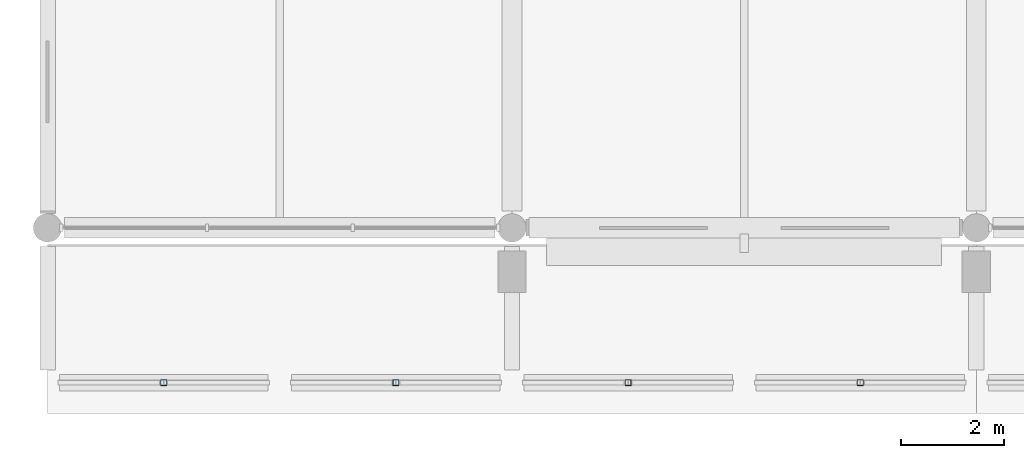
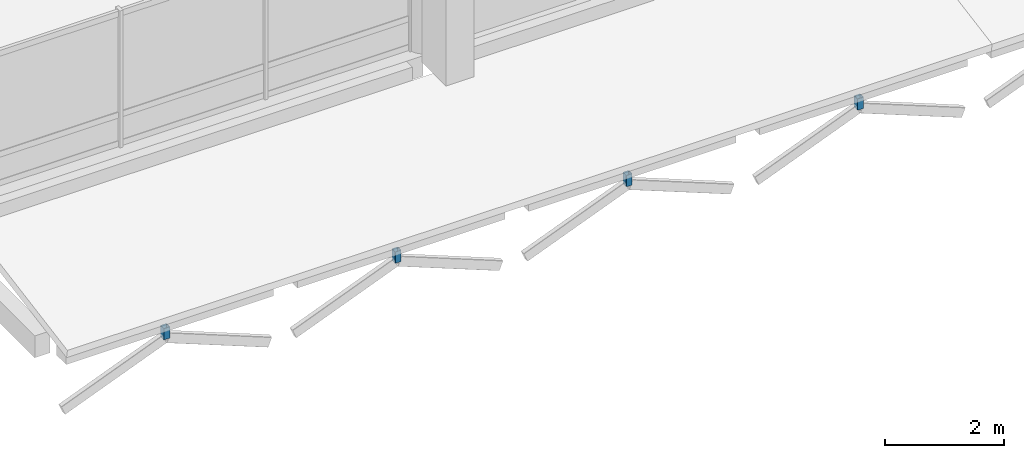
# One storey, part 89 of 132: 4 members.
"""IFC4 building model written with IfcOpenShell, lengths in metres."""

import ifcopenshell
import ifcopenshell.guid

model = None  # the IFC model being written
_history = None  # IfcOwnerHistory: only IFC2X3 demands one
_inside = {}  # id of a spatial element -> (the spatial element, [elements in it])
_under = {}  # id of a project, library or spatial element -> (it, [spatial elements below it])
_declared = {}  # id of a project -> (the project, [libraries it declares])
_typed = {}  # id of a type object -> (the type object, [elements of that type])
_made_of = {}  # id of a material, layer set ... -> (it, [elements and type objects made of it])


def new_model(schema):
    """Start an empty IFC model of exactly this schema.

    Asked for "IFC4X3", IfcOpenShell would pick the latest addendum, in which some entities
    have other attributes; the version numbers below select the first issue.
    IFC2X3 requires an IfcOwnerHistory on every rooted entity: one is made here for all.
    """
    global model, _history
    if schema == "IFC4X3":
        model = ifcopenshell.file(schema_version=(4, 3, 0, 0))
    else:
        model = ifcopenshell.file(schema=schema)
    _inside.clear()
    _under.clear()
    _declared.clear()
    _typed.clear()
    _made_of.clear()
    _history = None
    if model.schema == "IFC2X3":
        org = make("IfcOrganization", Name="unknown")
        user = make(
            "IfcPersonAndOrganization",
            ThePerson=make("IfcPerson", FamilyName="unknown"),
            TheOrganization=org,
        )
        app = make(
            "IfcApplication",
            ApplicationDeveloper=org,
            Version="unknown",
            ApplicationFullName="unknown",
            ApplicationIdentifier="unknown",
        )
        _history = make(
            "IfcOwnerHistory",
            OwningUser=user,
            OwningApplication=app,
            ChangeAction="ADDED",
            CreationDate=0,
        )
    return model


def make(cls, **values):
    """One entity of the class cls with the attributes given. An attribute that is None is left unset."""
    return model.create_entity(
        cls, **{name: value for name, value in values.items() if value is not None}
    )


def rooted(cls, **values):
    """An entity with a GlobalId (a new one), such as an element, a storey or a relation."""
    return make(cls, GlobalId=ifcopenshell.guid.new(), OwnerHistory=_history, **values)


def si_unit(unit_type, name, prefix=None):
    """IfcSIUnit, for example si_unit("LENGTHUNIT", "METRE", prefix="MILLI")."""
    return make("IfcSIUnit", UnitType=unit_type, Prefix=prefix, Name=name)


def assignment(units):
    """IfcUnitAssignment: the units of a project."""
    return None if units is None else make("IfcUnitAssignment", Units=units)


def point(xyz):
    """IfcCartesianPoint."""
    return None if xyz is None else make("IfcCartesianPoint", Coordinates=xyz)


def direction(xyz):
    """IfcDirection."""
    return None if xyz is None else make("IfcDirection", DirectionRatios=xyz)


def frame(location, z_axis=None, x_axis=None):
    """IfcAxis2Placement3D, a coordinate frame: its origin and axes. An axis left out is left unset."""
    return make(
        "IfcAxis2Placement3D",
        Location=point(location),
        Axis=direction(z_axis),
        RefDirection=direction(x_axis),
    )


def frame_2d(location, x_axis=None):
    """IfcAxis2Placement2D, a coordinate frame in the plane: its origin and x axis."""
    return make(
        "IfcAxis2Placement2D", Location=point(location), RefDirection=direction(x_axis)
    )


def origin():
    """The frame at (0, 0, 0) with its axes left unset."""
    return frame((0.0, 0.0, 0.0))


def origin_2d():
    """The frame at (0, 0) in the plane with its x axis left unset."""
    return frame_2d((0.0, 0.0))


def place(relative_to, where):
    """IfcLocalPlacement: puts the frame where relative to a parent placement (None: the world)."""
    return make(
        "IfcLocalPlacement", PlacementRelTo=relative_to, RelativePlacement=where
    )


def context(
    kind, dimensions, precision=None, world=None, true_north=None, identifier=None
):
    """IfcGeometricRepresentationContext, for example the 3D "Model" context."""
    return make(
        "IfcGeometricRepresentationContext",
        ContextIdentifier=identifier,
        ContextType=kind,
        CoordinateSpaceDimension=dimensions,
        Precision=precision,
        WorldCoordinateSystem=world,
        TrueNorth=true_north,
    )


def subcontext(parent, identifier, kind, view, scale=None):
    """IfcGeometricRepresentationSubContext, for example "Body" below "Model"."""
    return make(
        "IfcGeometricRepresentationSubContext",
        ContextIdentifier=identifier,
        ContextType=kind,
        ParentContext=parent,
        TargetScale=scale,
        TargetView=view,
    )


def project(units=None, contexts=None):
    """IfcProject with its units and contexts."""
    return rooted(
        "IfcProject",
        Name="project",
        RepresentationContexts=contexts,
        UnitsInContext=assignment(units),
    )


def spatial(cls, under=None, at=None, **own):
    """A site, building, storey or space (cls), placed at a placement, below another one or the project."""
    s = rooted(cls, ObjectPlacement=at, **own)
    if under is not None:
        _under.setdefault(under.id(), (under, []))[1].append(s)
    return s


def profile(cls, at=None, kind="AREA", **sizes):
    """A parametric profile (cls). Its sizes go by their IFC names, for example OverallWidth=200.0."""
    return make(cls, ProfileType=kind, Position=at, **sizes)


def hollow_rectangle(**sizes):
    """IfcRectangleHollowProfileDef."""
    return profile("IfcRectangleHollowProfileDef", **sizes)


def extrude(swept, where, along, depth):
    """IfcExtrudedAreaSolid: the profile swept, set in the frame where, extruded along a direction by depth."""
    return make(
        "IfcExtrudedAreaSolid",
        SweptArea=swept,
        Position=where,
        ExtrudedDirection=direction(along),
        Depth=depth,
    )


def shape(context_of_items, identifier, shape_type, items):
    """IfcShapeRepresentation: the items that make up one representation, for example the "Body"."""
    return make(
        "IfcShapeRepresentation",
        ContextOfItems=context_of_items,
        RepresentationIdentifier=identifier,
        RepresentationType=shape_type,
        Items=items,
    )


def material(Name=None, Category=None):
    """IfcMaterial."""
    return make("IfcMaterial", Name=Name, Category=Category)


def material_profile(
    of_material, cross_section, Name=None, Category=None, Priority=None
):
    """IfcMaterialProfile: a cross section and its material."""
    return make(
        "IfcMaterialProfile",
        Name=Name,
        Material=of_material,
        Profile=cross_section,
        Priority=Priority,
        Category=Category,
    )


def profile_set(profiles, Name=None, composite=None):
    """IfcMaterialProfileSet."""
    return make(
        "IfcMaterialProfileSet",
        Name=Name,
        MaterialProfiles=profiles,
        CompositeProfile=composite,
    )


def made_of(thing, what):
    """Note that an element or type object is made of a material, layer set ...; save() writes the relation."""
    if what is not None:
        _made_of.setdefault(what.id(), (what, []))[1].append(thing)
    return thing


def type_object(cls, material=None, **own):
    """A type object (cls), such as IfcWallType, which elements share."""
    return made_of(rooted(cls, **own), material)


def element(
    cls,
    number,
    at=None,
    inside=None,
    cuts=None,
    type_object=None,
    material=None,
    context=None,
    identifier="Body",
    shape_type=None,
    held_by="IfcProductDefinitionShape",
    body=None,
    shapes=None,
    **own,
):
    """One element of the class cls, such as IfcWall. Its Tag is "e" and its number.

    at: its placement. inside: the storey or other place that contains it. cuts: it is an
    opening in that element (IfcRelVoidsElement). A single representation is given by context,
    identifier, shape_type and body (its items); several are given by shapes. held_by: the class
    of the entity that holds the representations. save() writes the other relations.
    """
    e = rooted(cls, Tag="e%d" % number, ObjectPlacement=at, **own)
    if body is not None:
        shapes = [shape(context, identifier, shape_type, body)]
    if shapes is not None:
        e.Representation = make(held_by, Representations=shapes)
    if inside is not None:
        _inside.setdefault(inside.id(), (inside, []))[1].append(e)
    if cuts is not None:
        rooted(
            "IfcRelVoidsElement", RelatingBuildingElement=cuts, RelatedOpeningElement=e
        )
    if type_object is not None:
        _typed.setdefault(type_object.id(), (type_object, []))[1].append(e)
    return made_of(e, material)


def aggregate(whole, parts):
    """IfcRelAggregates: a whole, such as a stair, and the parts it consists of."""
    return rooted("IfcRelAggregates", RelatingObject=whole, RelatedObjects=parts)


def save(model, path):
    """Write the relations noted so far, then the file.

    IfcRelAggregates (storeys below a building ...), IfcRelContainedInSpatialStructure (elements
    in a storey), IfcRelDefinesByType, IfcRelAssociatesMaterial and IfcRelDeclares: one each for
    every whole, place, type object, material and project.
    """
    for whole, parts in _under.values():
        aggregate(whole, parts)
    for where, things in _inside.values():
        rooted(
            "IfcRelContainedInSpatialStructure",
            RelatedElements=things,
            RelatingStructure=where,
        )
    for kind, things in _typed.values():
        rooted("IfcRelDefinesByType", RelatedObjects=things, RelatingType=kind)
    for what, things in _made_of.values():
        rooted("IfcRelAssociatesMaterial", RelatedObjects=things, RelatingMaterial=what)
    for by, libraries in _declared.values():
        rooted("IfcRelDeclares", RelatingContext=by, RelatedDefinitions=libraries)
    model.write(path)


model = new_model("IFC4")

# Units and contexts
model_context = context("Model", 3, precision=1e-05, world=origin(), true_north=direction((0.0, 1.0)))
body_context = subcontext(model_context, "Body", "Model", "MODEL_VIEW")
ifc_project = project(units=[si_unit("LENGTHUNIT", "METRE"), si_unit("AREAUNIT", "SQUARE_METRE"), si_unit("VOLUMEUNIT", "CUBIC_METRE"), si_unit("PLANEANGLEUNIT", "RADIAN"), si_unit("MASSUNIT", "GRAM", prefix="KILO")], contexts=[model_context])

# Site, building, storey
site_placement = place(None, origin())
site = spatial("IfcSite", under=ifc_project, at=site_placement, CompositionType="ELEMENT")
building_placement = place(site_placement, origin())
building = spatial("IfcBuilding", under=site, at=building_placement, Name="Tharagai Park Tramway Depot", CompositionType="ELEMENT")
storey_placement = place(building_placement, frame((0.0, 0.0, 4.800048828125)))
storey = spatial("IfcBuildingStorey", under=building, at=storey_placement, Name="L01", CompositionType="ELEMENT", Elevation=4.800048828125)

# Members
ifc_material = material(Name="Steel E250", Category="steel")
ifc_material_profile = material_profile(ifc_material, hollow_rectangle(XDim=0.1201171875, YDim=0.1201171875, WallThickness=0.0048828125, InnerFilletRadius=0.0048828125, OuterFilletRadius=0.010009765625, at=origin_2d()), Name="SHS 120x120x5")
ifc_profile_set = profile_set([ifc_material_profile], Name="Steel E250")
member_type = type_object("IfcMemberType", Name="BR-08", PredefinedType="BRACE", material=ifc_profile_set)
for number, where, z_axis, x_axis, name in (
    (1, (137.25, -3.0, -1.840087890625), (0.0, 0.0, 1.0), (1.0, 0.0, 0.0), "Pointed Gothic Spandrel Tracery Post BR-08"),
    (2, (141.75, -3.0, -1.840087890625), (0.0, 0.0, 1.0), (1.0, 0.0, 0.0), "Pointed Gothic Spandrel Tracery Post BR-08"),
    (3, (146.25, -3.0, -1.840087890625), (0.0, 0.0, 1.0), (1.0, 0.0, 0.0), "Pointed Gothic Spandrel Tracery Post BR-08"),
    (4, (150.75, -3.0, -1.840087890625), (0.0, 0.0, 1.0), (1.0, 0.0, 0.0), "Pointed Gothic Spandrel Tracery Post BR-08"),
):
    element("IfcMember", number, at=place(storey_placement, frame(where, z_axis=z_axis, x_axis=x_axis)), inside=storey, type_object=member_type, Name=name, PredefinedType="BRACE", context=body_context, shape_type="SweptSolid", body=[
        extrude(hollow_rectangle(XDim=0.1201171875, YDim=0.1201171875, WallThickness=0.0048828125, InnerFilletRadius=0.0048828125, OuterFilletRadius=0.010009765625, at=origin_2d()), origin(), (0.0, 0.0, 1.0), 0.22998046875),
    ])

save(model, "model.ifc")
